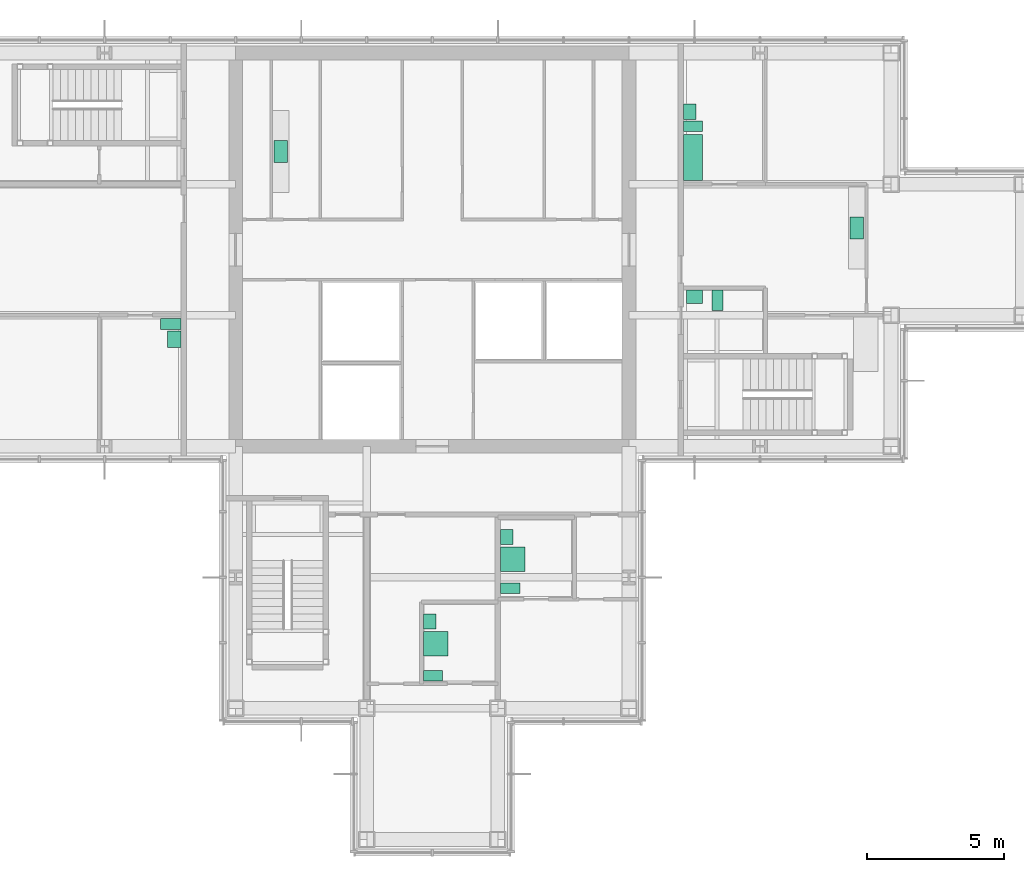
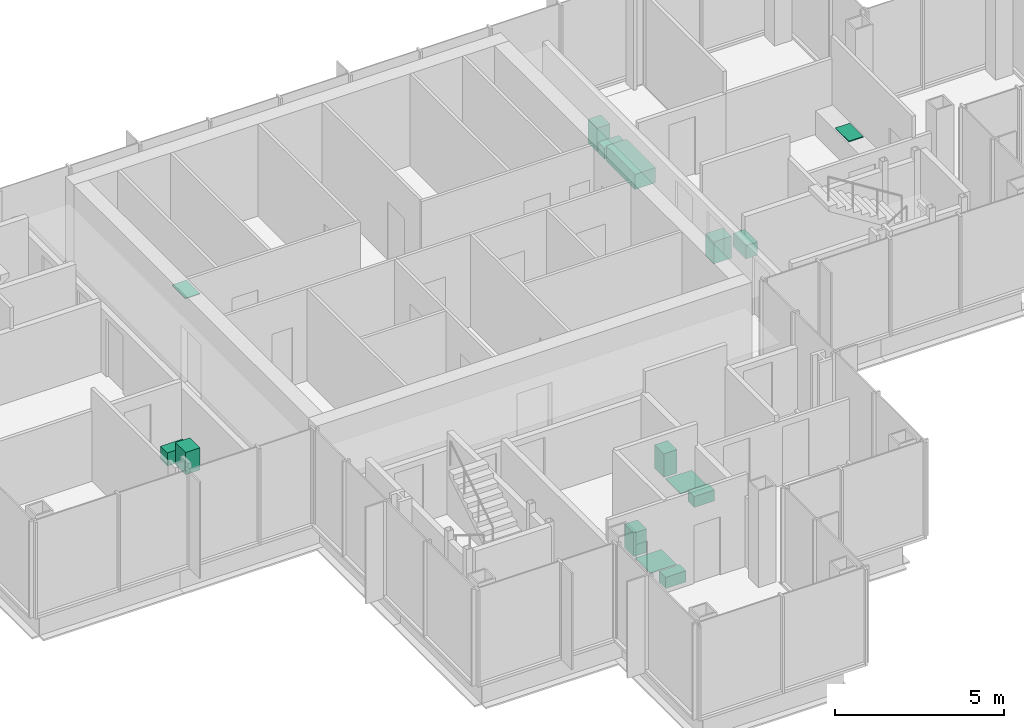
# One storey, part 14 of 15: 15 sanitary terminals.
"""IFC4 building model written with IfcOpenShell, lengths in metres."""

from ifc_helpers import new_model, si_unit, direction, frame, origin, origin_2d, place, context, subcontext, project, spatial, rectangle, extrude, material, type_object, element, save


model = new_model("IFC4")

# Units and contexts
model_context = context("Model", 3, precision=1e-05, world=origin(), true_north=direction((0.0, 1.0)))
body_context = subcontext(model_context, "Body", "Model", "MODEL_VIEW")
ifc_project = project(units=[si_unit("LENGTHUNIT", "METRE"), si_unit("AREAUNIT", "SQUARE_METRE"), si_unit("VOLUMEUNIT", "CUBIC_METRE"), si_unit("PLANEANGLEUNIT", "RADIAN"), si_unit("MASSUNIT", "GRAM", prefix="KILO")], contexts=[model_context])

# Site, building, storey
site_placement = place(None, origin())
site = spatial("IfcSite", under=ifc_project, at=site_placement, CompositionType="ELEMENT")
building_placement = place(site_placement, origin())
building = spatial("IfcBuilding", under=site, at=building_placement, Name="Kvirike Care Tower", CompositionType="ELEMENT")
storey_placement = place(building_placement, frame((0.0, 0.0, 236.5)))
storey = spatial("IfcBuildingStorey", under=building, at=storey_placement, Name="L65", CompositionType="ELEMENT", Elevation=236.5)

# Sanitary terminals
ifc_material_1 = material(Name="Vitreous china", Category="ceramic")
sanitary_terminal_type_1 = type_object("IfcSanitaryTerminalType", Name="ACCESSIBLE WASH BASIN 600 x 500", PredefinedType="WASHHANDBASIN", material=ifc_material_1)
for number, where, z_axis, x_axis, name in (
    (1, (12.14794921875, 32.72509765625, 0.02001953125), (0.0, 0.0, 1.0), (0.0, -1.0, 0.0), "Accessible wash basin L65-006"),
    (2, (31.199951171875, 34.27294921875, 0.02001953125), (0.0, 0.0, 1.0), (1.0, 0.0, 0.0), "Accessible wash basin L65-021"),
):
    element("IfcSanitaryTerminal", number, at=place(storey_placement, frame(where, z_axis=z_axis, x_axis=x_axis)), inside=storey, type_object=sanitary_terminal_type_1, Name=name, PredefinedType="WASHHANDBASIN", context=body_context, shape_type="SweptSolid", body=[
        extrude(rectangle(XDim=0.60009765625, YDim=0.5, at=origin_2d()), origin(), (0.0, 0.0, 1.0), 0.800048828125),
    ])
ifc_material_2 = material(Name="Vitreous china", Category="ceramic")
sanitary_terminal_type_2 = type_object("IfcSanitaryTerminalType", Name="ACCESSIBLE WC PAN 400 x 750", PredefinedType="TOILETPAN", material=ifc_material_2)
for number, where, z_axis, x_axis, name in (
    (3, (12.02294921875, 33.27490234375, 0.02001953125), (0.0, 0.0, 1.0), (0.0, -1.0, 0.0), "Accessible WC pan L65-006"),
    (4, (32.050048828125, 34.14794921875, 0.02001953125), (0.0, 0.0, 1.0), (1.0, 0.0, 0.0), "Accessible WC pan L65-021"),
):
    element("IfcSanitaryTerminal", number, at=place(storey_placement, frame(where, z_axis=z_axis, x_axis=x_axis)), inside=storey, type_object=sanitary_terminal_type_2, Name=name, PredefinedType="TOILETPAN", context=body_context, shape_type="SweptSolid", body=[
        extrude(rectangle(XDim=0.39990234375, YDim=0.75, at=origin_2d()), origin(), (0.0, 0.0, 1.0), 0.47998046875),
    ])
ifc_material_3 = material(Name="Enamelled steel", Category="steel")
sanitary_terminal_type_3 = type_object("IfcSanitaryTerminalType", Name="BATH 1700 x 700", PredefinedType="BATH", material=ifc_material_3)
sanitary_terminal_placement = place(storey_placement, frame((31.152099609375, 39.375, 0.02001953125), z_axis=(0.0, 0.0, 1.0), x_axis=(0.0, 1.0, 0.0)))
element("IfcSanitaryTerminal", 5, at=sanitary_terminal_placement, inside=storey, type_object=sanitary_terminal_type_3, Name="Bath L65-022", PredefinedType="BATH", context=body_context, shape_type="SweptSolid", body=[
    extrude(rectangle(XDim=1.699951171875, YDim=0.699951171875, at=origin_2d()), origin(), (0.0, 0.0, 1.0), 0.550048828125),
])
ifc_material_4 = material(Name="Stainless steel", Category="steel")
sanitary_terminal_type_4 = type_object("IfcSanitaryTerminalType", Name="KITCHEN SINK 800 x 500", PredefinedType="SINK", material=ifc_material_4)
for number, where, z_axis, x_axis, name in (
    (6, (37.137939453125, 36.7900390625, 0.89990234375), (0.0, 0.0, 1.0), (0.0, -1.0, 0.0), "Kitchen sink L65-023"),
    (7, (16.052001953125, 39.60009765625, 0.89990234375), (0.0, 0.0, 1.0), (0.0, 1.0, 0.0), "Kitchen sink L65-030"),
):
    element("IfcSanitaryTerminal", number, at=place(storey_placement, frame(where, z_axis=z_axis, x_axis=x_axis)), inside=storey, type_object=sanitary_terminal_type_4, Name=name, PredefinedType="SINK", context=body_context, shape_type="SweptSolid", body=[
        extrude(rectangle(XDim=0.800048828125, YDim=0.5, at=origin_2d()), origin(), (0.0, 0.0, 1.0), 0.030029296875),
    ])
ifc_material_5 = material(Name="Stainless steel", Category="steel")
sanitary_terminal_type_5 = type_object("IfcSanitaryTerminalType", Name="LEVEL-ACCESS SHOWER 900 x 900", PredefinedType="SHOWER", material=ifc_material_5)
for number, where, z_axis, x_axis, name in (
    (8, (21.72705078125, 21.56005859375, 0.02001953125), (0.0, 0.0, 1.0), (0.0, 1.0, 0.0), "Level-access shower L65-012"),
    (9, (24.552001953125, 24.659912109375, 0.02001953125), (0.0, 0.0, 1.0), (0.0, 1.0, 0.0), "Level-access shower L65-015"),
):
    element("IfcSanitaryTerminal", number, at=place(storey_placement, frame(where, z_axis=z_axis, x_axis=x_axis)), inside=storey, type_object=sanitary_terminal_type_5, Name=name, PredefinedType="SHOWER", context=body_context, shape_type="SweptSolid", body=[
        extrude(rectangle(XDim=0.89990234375, YDim=0.89990234375, at=origin_2d()), origin(), (0.0, 0.0, 1.0), 0.02001953125),
    ])
ifc_material_6 = material(Name="Vitreous china", Category="ceramic")
sanitary_terminal_type_6 = type_object("IfcSanitaryTerminalType", Name="WASH BASIN 550 x 450", PredefinedType="WASHHANDBASIN", material=ifc_material_6)
for number, where, z_axis, x_axis, name in (
    (10, (21.501953125, 22.385009765625, 0.02001953125), (0.0, 0.0, 1.0), (0.0, 1.0, 0.0), "Wash basin L65-012"),
    (11, (24.326904296875, 25.485107421875, 0.02001953125), (0.0, 0.0, 1.0), (0.0, 1.0, 0.0), "Wash basin L65-015"),
    (12, (31.027099609375, 41.050048828125, 0.02001953125), (0.0, 0.0, 1.0), (0.0, 1.0, 0.0), "Wash basin L65-022"),
):
    element("IfcSanitaryTerminal", number, at=place(storey_placement, frame(where, z_axis=z_axis, x_axis=x_axis)), inside=storey, type_object=sanitary_terminal_type_6, Name=name, PredefinedType="WASHHANDBASIN", context=body_context, shape_type="SweptSolid", body=[
        extrude(rectangle(XDim=0.550048828125, YDim=0.449951171875, at=origin_2d()), origin(), (0.0, 0.0, 1.0), 0.85009765625),
    ])
ifc_material_7 = material(Name="Vitreous china", Category="ceramic")
sanitary_terminal_type_7 = type_object("IfcSanitaryTerminalType", Name="WC PAN 380 x 700", PredefinedType="TOILETPAN", material=ifc_material_7)
for number, where, z_axis, x_axis, name in (
    (13, (21.626953125, 20.39990234375, 0.02001953125), (0.0, 0.0, 1.0), (0.0, 1.0, 0.0), "WC pan L65-012"),
    (14, (24.451904296875, 23.60009765625, 0.02001953125), (0.0, 0.0, 1.0), (0.0, 1.0, 0.0), "WC pan L65-015"),
    (15, (31.152099609375, 40.514892578125, 0.02001953125), (0.0, 0.0, 1.0), (0.0, 1.0, 0.0), "WC pan L65-022"),
):
    element("IfcSanitaryTerminal", number, at=place(storey_placement, frame(where, z_axis=z_axis, x_axis=x_axis)), inside=storey, type_object=sanitary_terminal_type_7, Name=name, PredefinedType="TOILETPAN", context=body_context, shape_type="SweptSolid", body=[
        extrude(rectangle(XDim=0.3798828125, YDim=0.699951171875, at=origin_2d()), origin(), (0.0, 0.0, 1.0), 0.39990234375),
    ])

save(model, "model.ifc")
